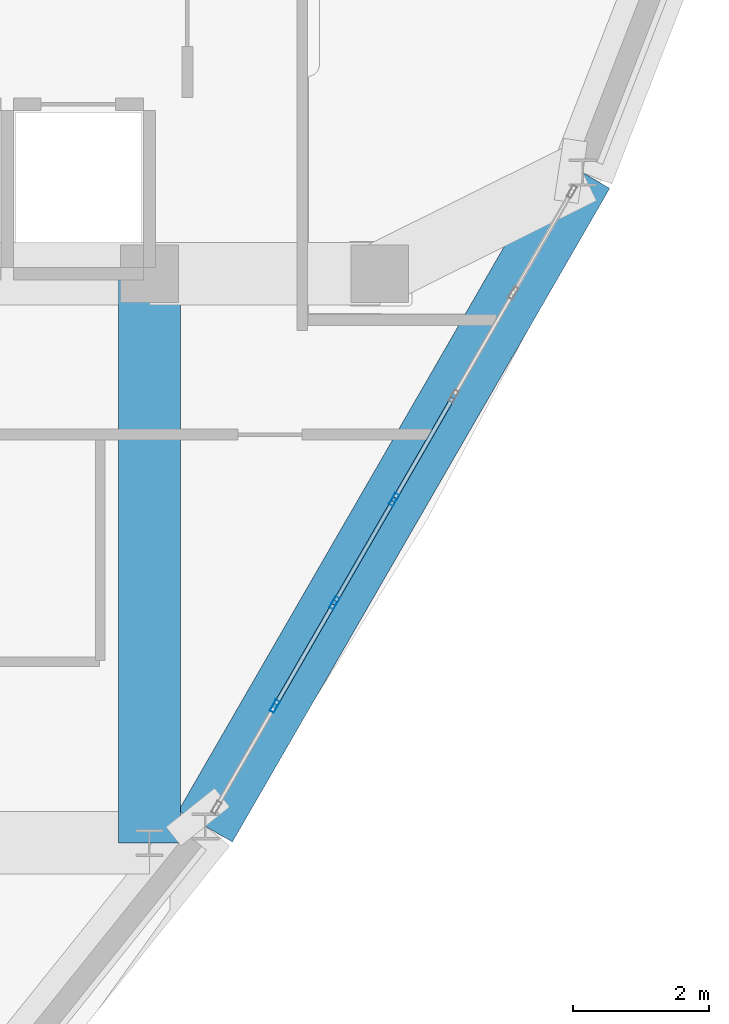
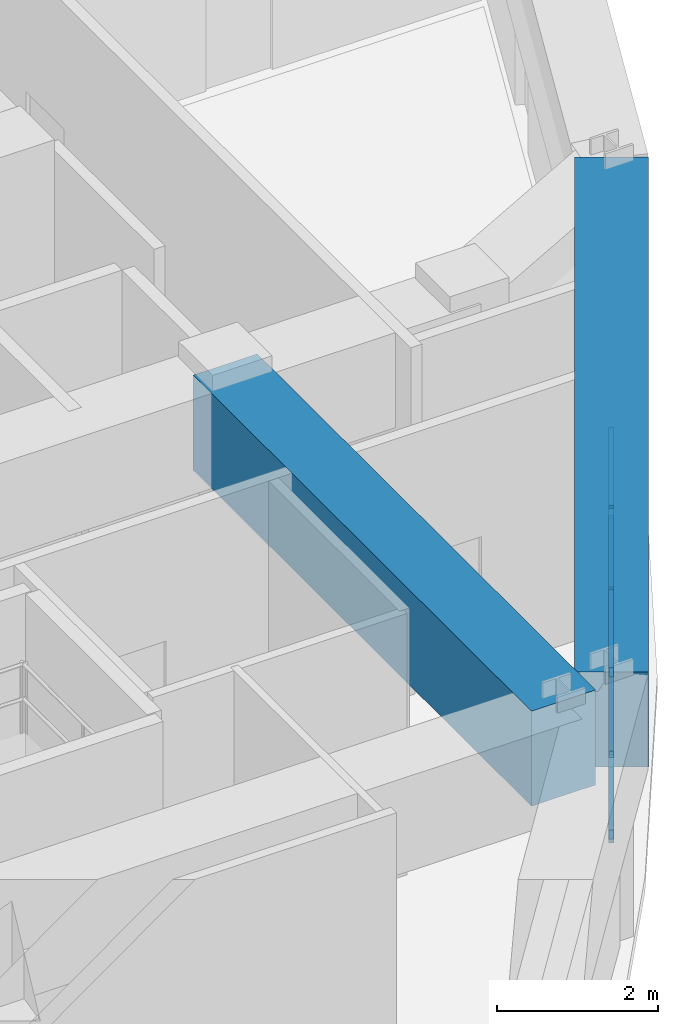
# One storey, part 4 of 17: 10 members, 2 beams, 1 element without a shape of its own.
"""IFC4 building model written with IfcOpenShell, lengths in metres."""

from ifc_helpers import new_model, si_unit, derived_unit, direction, frame, origin, origin_2d, place, context, subcontext, project, spatial, rectangle, hollow_rectangle, extrude, source, transform, mapped, material, layer, layer_set, material_profile, profile_set, type_object, element, aggregate, save


model = new_model("IFC4")

# Units and contexts
model_context = context("Model", 3, precision=1e-05, world=origin(), true_north=direction((0.0, 1.0)))
body_context = subcontext(model_context, "Body", "Model", "MODEL_VIEW")
ifc_project = project(units=[si_unit("LENGTHUNIT", "METRE"), si_unit("AREAUNIT", "SQUARE_METRE"), si_unit("VOLUMEUNIT", "CUBIC_METRE"), si_unit("PLANEANGLEUNIT", "RADIAN"), si_unit("MASSUNIT", "GRAM", prefix="KILO"), derived_unit("THERMALTRANSMITTANCEUNIT", [(si_unit("POWERUNIT", "WATT"), 1), (si_unit("LENGTHUNIT", "METRE"), -2), (si_unit("THERMODYNAMICTEMPERATUREUNIT", "KELVIN"), -1)])], contexts=[model_context])

# Site, building, storey
site_placement = place(None, origin())
site = spatial("IfcSite", under=ifc_project, at=site_placement, CompositionType="ELEMENT")
building_placement = place(site_placement, origin())
building = spatial("IfcBuilding", under=site, at=building_placement, Name="Korsvarv Bourse and Concert Hall", CompositionType="ELEMENT")
storey_placement = place(building_placement, frame((0.0, 0.0, 279.60009765625)))
storey = spatial("IfcBuildingStorey", under=building, at=storey_placement, Name="L73", CompositionType="ELEMENT", Elevation=279.60009765625)

# Beams
ifc_material_1 = material(Name="Concrete C50/60", Category="concrete")
ifc_material_profile_1 = material_profile(ifc_material_1, rectangle(XDim=0.919921875, YDim=1.43994140625, at=origin_2d()), Name="RC-BM 920x1440")
ifc_profile_set_1 = profile_set([ifc_material_profile_1], Name="Concrete C50/60")
beam_type = type_object("IfcBeamType", Name="BM-TR-144", PredefinedType="BEAM", material=ifc_profile_set_1)
shared_shape_1 = source(origin(), body_context, "Body", "SweptSolid", [
    extrude(rectangle(XDim=0.919921875, YDim=1.43994140625, at=origin_2d()), origin(), (0.0, 0.0, 1.0), 8.39990234375),
])
beam_1_placement = place(storey_placement, frame((44.39990234375, 24.0, 3.239990234375), z_axis=(0.0, 1.0, 0.0), x_axis=(-1.0, 0.0, 0.0)))
element("IfcBeam", 1, at=beam_1_placement, inside=storey, type_object=beam_type, Name="L73 beam B-TR4", PredefinedType="BEAM", context=body_context, shape_type="MappedRepresentation", body=[
    mapped(shared_shape_1, transform((0.0, 0.0, 0.0), scale=1.0)),
])
shared_shape_2 = source(origin(), body_context, "Body", "SweptSolid", [
    extrude(rectangle(XDim=0.919921875, YDim=1.43994140625, at=origin_2d()), origin(), (0.0, 0.0, 1.0), 11.13916015625),
])
beam_2_placement = place(storey_placement, frame((45.22509765625, 24.24267578125, 3.239990234375), z_axis=(0.500002610587, 0.866023896556, 0.0), x_axis=(-0.866023896556, 0.500002610587, 0.0)))
element("IfcBeam", 2, at=beam_2_placement, inside=storey, type_object=beam_type, Name="L73 beam B-TR4", PredefinedType="BEAM", context=body_context, shape_type="MappedRepresentation", body=[
    mapped(shared_shape_2, transform((0.0, 0.0, 0.0), scale=1.0)),
])

# Curtain wall, members
ifc_material_2 = material(Name="Anodised aluminium and triple low-E glazing", Category="glass")
ifc_layer = layer(ifc_material_2, 0.18994140625)
ifc_layer_set = layer_set([ifc_layer], Name="Anodised aluminium and triple low-E glazing")
curtain_wall_type = type_object("IfcCurtainWallType", Name="CW-SYS-4", PredefinedType="NOTDEFINED", material=ifc_layer_set)
curtain_wall_placement = place(storey_placement, origin())
curtain_wall = element("IfcCurtainWall", 3, at=curtain_wall_placement, inside=storey, type_object=curtain_wall_type, Name="L73 CW4 curtain wall CW-L73-F11", PredefinedType="NOTDEFINED")
ifc_material_3 = material(Name="Extruded aluminium EN AW-6063 T66", Category="aluminium")
ifc_material_profile_2 = material_profile(ifc_material_3, hollow_rectangle(XDim=0.070068359375, YDim=0.18994140625, WallThickness=0.0048828125, at=origin_2d()), Name="ALU-M 70x190")
ifc_profile_set_2 = profile_set([ifc_material_profile_2], Name="Extruded aluminium EN AW-6063 T66")
member_type_1 = type_object("IfcMemberType", Name="CWM-190", PredefinedType="MULLION", material=ifc_profile_set_2)
shared_shape_3 = source(origin(), body_context, "Body", "SweptSolid", [
    extrude(hollow_rectangle(XDim=0.070068359375, YDim=0.18994140625, WallThickness=0.0048828125, at=origin_2d()), origin(), (0.0, 0.0, 1.0), 2.52001953125),
])
member_1_placement = place(storey_placement, frame((46.24951171875, 26.016845703125, 0.0), z_axis=(0.0, 0.0, 1.0), x_axis=(-0.866026512974, 0.499998078822, 0.0)))
member_1 = element("IfcMember", 4, at=member_1_placement, type_object=member_type_1, Name="CW4 mullion 2", PredefinedType="MULLION", context=body_context, shape_type="MappedRepresentation", body=[
    mapped(shared_shape_3, transform((0.0, 0.0, 0.0), scale=1.0)),
])
member_2_placement = place(storey_placement, frame((47.129638671875, 27.54150390625, 0.0), z_axis=(0.0, 0.0, 1.0), x_axis=(-0.866026512974, 0.499998078822, 0.0)))
member_2 = element("IfcMember", 5, at=member_2_placement, type_object=member_type_1, Name="CW4 mullion 3", PredefinedType="MULLION", context=body_context, shape_type="MappedRepresentation", body=[
    mapped(shared_shape_3, transform((0.0, 0.0, 0.0), scale=1.0)),
])
member_3_placement = place(storey_placement, frame((48.010009765625, 29.066162109375, 0.0), z_axis=(0.0, 0.0, 1.0), x_axis=(-0.866026512974, 0.499998078822, 0.0)))
member_3 = element("IfcMember", 6, at=member_3_placement, type_object=member_type_1, Name="CW4 mullion 4", PredefinedType="MULLION", context=body_context, shape_type="MappedRepresentation", body=[
    mapped(shared_shape_3, transform((0.0, 0.0, 0.0), scale=1.0)),
])
ifc_material_profile_3 = material_profile(ifc_material_3, hollow_rectangle(XDim=0.06494140625, YDim=0.139892578125, WallThickness=0.00390625, at=origin_2d()), Name="ALU-T 65x140")
ifc_profile_set_3 = profile_set([ifc_material_profile_3], Name="Extruded aluminium EN AW-6063 T66")
member_type_2 = type_object("IfcMemberType", Name="CWT-140", PredefinedType="USERDEFINED", material=ifc_profile_set_3)
shared_shape_4 = source(origin(), body_context, "Body", "SweptSolid", [
    extrude(hollow_rectangle(XDim=0.06494140625, YDim=0.139892578125, WallThickness=0.00390625, at=origin_2d()), origin(), (0.0, 0.0, 1.0), 1.6904296875),
])
member_4_placement = place(storey_placement, frame((47.147216796875, 27.57177734375, 0.032470703125), z_axis=(0.500022507987, 0.866012408402, 0.0), x_axis=(-0.866012408402, 0.500022507987, 0.0)))
member_4 = element("IfcMember", 7, at=member_4_placement, type_object=member_type_2, Name="CW4 transom 3.1", ObjectType="TRANSOM", PredefinedType="USERDEFINED", context=body_context, shape_type="MappedRepresentation", body=[
    mapped(shared_shape_4, transform((0.0, 0.0, 0.0), scale=1.0)),
])
member_5_placement = place(storey_placement, frame((47.147216796875, 27.57177734375, 2.4873046875), z_axis=(0.500022507987, 0.866012408402, 0.0), x_axis=(-0.866012408402, 0.500022507987, 0.0)))
member_5 = element("IfcMember", 8, at=member_5_placement, type_object=member_type_2, Name="CW4 transom 3.2", ObjectType="TRANSOM", PredefinedType="USERDEFINED", context=body_context, shape_type="MappedRepresentation", body=[
    mapped(shared_shape_4, transform((0.0, 0.0, 0.0), scale=1.0)),
])
member_6_placement = place(storey_placement, frame((48.02734375, 29.096435546875, 0.032470703125), z_axis=(0.500022507987, 0.866012408402, 0.0), x_axis=(-0.866012408402, 0.500022507987, 0.0)))
member_6 = element("IfcMember", 9, at=member_6_placement, type_object=member_type_2, Name="CW4 transom 4.1", ObjectType="TRANSOM", PredefinedType="USERDEFINED", context=body_context, shape_type="MappedRepresentation", body=[
    mapped(shared_shape_4, transform((0.0, 0.0, 0.0), scale=1.0)),
])
member_7_placement = place(storey_placement, frame((48.02734375, 29.096435546875, 2.4873046875), z_axis=(0.500022507987, 0.866012408402, 0.0), x_axis=(-0.866012408402, 0.500022507987, 0.0)))
member_7 = element("IfcMember", 10, at=member_7_placement, type_object=member_type_2, Name="CW4 transom 4.2", ObjectType="TRANSOM", PredefinedType="USERDEFINED", context=body_context, shape_type="MappedRepresentation", body=[
    mapped(shared_shape_4, transform((0.0, 0.0, 0.0), scale=1.0)),
])
ifc_material_profile_4 = material_profile(ifc_material_3, hollow_rectangle(XDim=0.06494140625, YDim=0.1650390625, WallThickness=0.0048828125, at=origin_2d()), Name="ALU-M 65x165")
ifc_profile_set_4 = profile_set([ifc_material_profile_4], Name="Extruded aluminium EN AW-6063 T66")
member_type_3 = type_object("IfcMemberType", Name="CWM-165", PredefinedType="MULLION", material=ifc_profile_set_4)
shared_shape_5 = source(origin(), body_context, "Body", "SweptSolid", [
    extrude(hollow_rectangle(XDim=0.06494140625, YDim=0.1650390625, WallThickness=0.0048828125, at=origin_2d()), origin(), (0.0, 0.0, 1.0), 2.92724609375),
])
member_8_placement = place(storey_placement, frame((47.147216796875, 27.57177734375, 0.06494140625), z_axis=(0.288738728215, 0.500080131248, 0.816425017476), x_axis=(-0.866012408402, 0.500022507987, 0.0)))
member_8 = element("IfcMember", 11, at=member_8_placement, type_object=member_type_3, Name="CW4 diagonal mullion 3", PredefinedType="MULLION", context=body_context, shape_type="MappedRepresentation", body=[
    mapped(shared_shape_5, transform((0.0, 0.0, 0.0), scale=1.0)),
])
shared_shape_6 = source(origin(), body_context, "Body", "SweptSolid", [
    extrude(hollow_rectangle(XDim=0.06494140625, YDim=0.139892578125, WallThickness=0.00390625, at=origin_2d()), origin(), (0.0, 0.0, 1.0), 1.690673828125),
])
member_9_placement = place(storey_placement, frame((46.266845703125, 26.047119140625, 0.032470703125), z_axis=(0.499959971872, 0.866048512801, 0.0), x_axis=(-0.866048512801, 0.499959971872, 0.0)))
member_9 = element("IfcMember", 12, at=member_9_placement, type_object=member_type_2, Name="CW4 transom 2.1", ObjectType="TRANSOM", PredefinedType="USERDEFINED", context=body_context, shape_type="MappedRepresentation", body=[
    mapped(shared_shape_6, transform((0.0, 0.0, 0.0), scale=1.0)),
])
member_10_placement = place(storey_placement, frame((46.266845703125, 26.047119140625, 2.4873046875), z_axis=(0.499959971872, 0.866048512801, 0.0), x_axis=(-0.866048512801, 0.499959971872, 0.0)))
member_10 = element("IfcMember", 13, at=member_10_placement, type_object=member_type_2, Name="CW4 transom 2.2", ObjectType="TRANSOM", PredefinedType="USERDEFINED", context=body_context, shape_type="MappedRepresentation", body=[
    mapped(shared_shape_6, transform((0.0, 0.0, 0.0), scale=1.0)),
])
aggregate(curtain_wall, [member_1, member_2, member_3, member_9, member_10, member_4, member_5, member_8, member_6, member_7])

save(model, "model.ifc")
